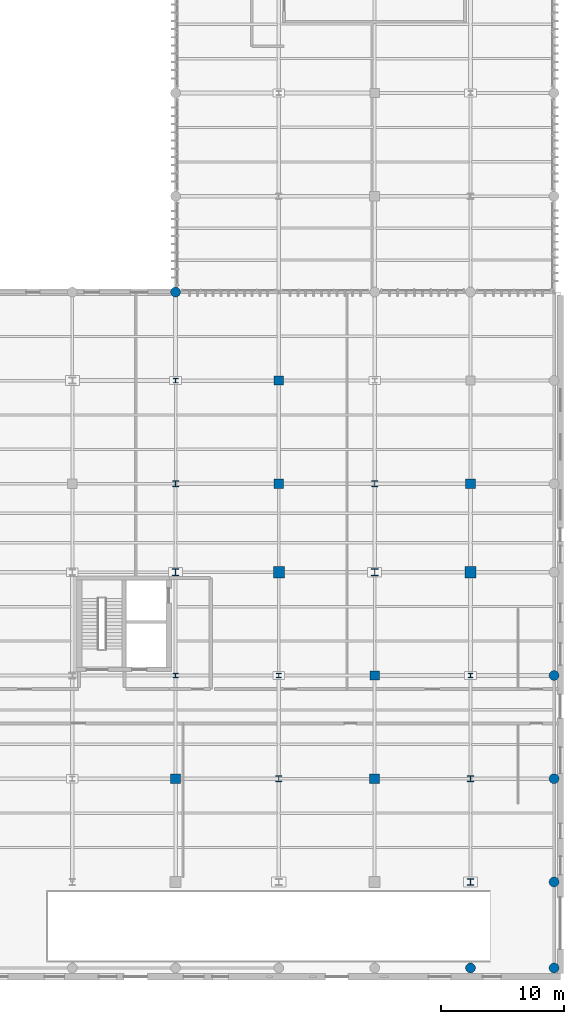
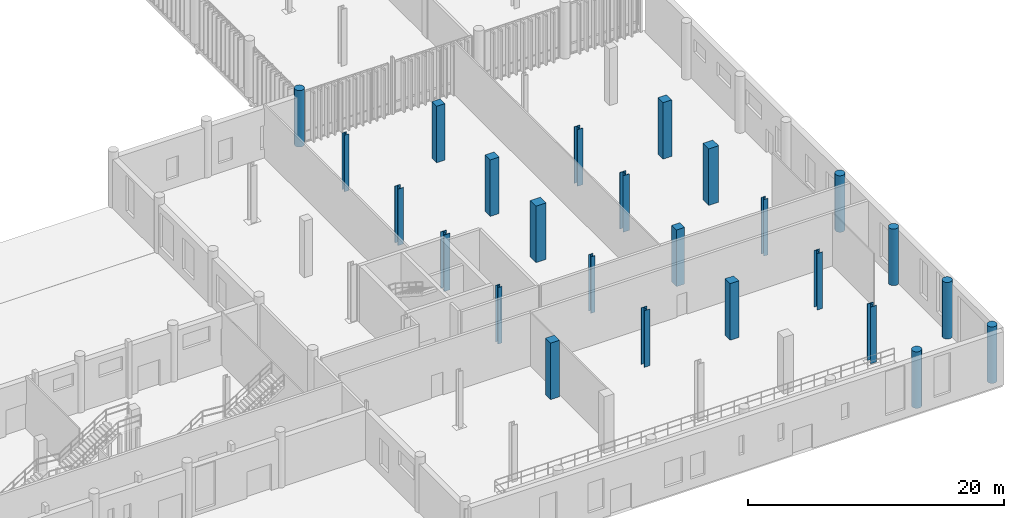
# One storey, part 10 of 112: 25 columns.
"""IFC4 building model written with IfcOpenShell, lengths in metres."""

from ifc_helpers import new_model, si_unit, direction, frame, origin_with_axes, origin_2d_with_axis, place, context, subcontext, project, spatial, rectangle, circle, i_section, extrude, material, material_profile, profile_set, type_object, element, save


model = new_model("IFC4")

# Units and contexts
model_context = context("Model", 3, precision=1e-05, world=origin_with_axes(), true_north=direction((0.0, 1.0)))
body_context = subcontext(model_context, "Body", "Model", "MODEL_VIEW")
ifc_project = project(units=[si_unit("LENGTHUNIT", "METRE"), si_unit("AREAUNIT", "SQUARE_METRE"), si_unit("VOLUMEUNIT", "CUBIC_METRE"), si_unit("PLANEANGLEUNIT", "RADIAN"), si_unit("MASSUNIT", "GRAM", prefix="KILO"), si_unit("THERMODYNAMICTEMPERATUREUNIT", "KELVIN")], contexts=[model_context])

# Site, building, storey
site_placement = place(None, origin_with_axes())
site = spatial("IfcSite", under=ifc_project, at=site_placement, CompositionType="ELEMENT")
building_placement = place(site_placement, origin_with_axes())
building = spatial("IfcBuilding", under=site, at=building_placement, Name="Montbau Bow Law Courts", CompositionType="ELEMENT")
storey_placement = place(building_placement, origin_with_axes())
storey = spatial("IfcBuildingStorey", under=building, at=storey_placement, Name="L00", CompositionType="ELEMENT", Elevation=0.0)

# Columns
ifc_material_1 = material(Name="Concrete CSA A23.1 f'c 45 MPa", Category="concrete")
ifc_material_profile_1 = material_profile(ifc_material_1, rectangle(XDim=0.9, YDim=0.9, at=origin_2d_with_axis()), Name="RC900X900", Category="Main", Priority=0)
ifc_profile_set_1 = profile_set([ifc_material_profile_1], Name="Concrete CSA A23.1 f'c 45 MPa")
column_type_1 = type_object("IfcColumnType", Name="C-RC-01", PredefinedType="COLUMN", material=ifc_profile_set_1)
for number, where, z_axis, x_axis, name in (
    (1, (147.0, 39.0, 0.0), (0.0, 0.0, 1.0), (1.0, 0.0, 0.0), "C-L00-S0303:col2_0303"),
    (2, (162.6, 39.0, 0.0), (0.0, 0.0, 1.0), (1.0, 0.0, 0.0), "C-L00-S0333:col2_0333"),
):
    element("IfcColumn", number, at=place(None, frame(where, z_axis=z_axis, x_axis=x_axis)), inside=storey, type_object=column_type_1, Name=name, PredefinedType="COLUMN", context=body_context, shape_type="SweptSolid", body=[
        extrude(rectangle(XDim=0.9, YDim=0.9, at=origin_2d_with_axis()), origin_with_axes(), (0.0, 0.0, 1.0), 5.4),
    ])
ifc_material_profile_2 = material_profile(ifc_material_1, rectangle(XDim=0.8, YDim=0.8, at=origin_2d_with_axis()), Name="RC800X800", Category="Main", Priority=0)
ifc_profile_set_2 = profile_set([ifc_material_profile_2], Name="Concrete CSA A23.1 f'c 45 MPa")
column_type_2 = type_object("IfcColumnType", Name="C-RC-02", PredefinedType="COLUMN", material=ifc_profile_set_2)
for number, where, z_axis, x_axis, name in (
    (3, (138.6, 22.2, 0.0), (0.0, 0.0, 1.0), (1.0, 0.0, 0.0), "C-L00-S0286:col2_0286"),
    (4, (147.0, 46.2, 0.0), (0.0, 0.0, 1.0), (1.0, 0.0, 0.0), "C-L00-S0304:col2_0304"),
    (5, (154.8, 22.2, 0.0), (0.0, 0.0, 1.0), (1.0, 0.0, 0.0), "C-L00-S0316:col2_0316"),
    (6, (162.6, 46.2, 0.0), (0.0, 0.0, 1.0), (1.0, 0.0, 0.0), "C-L00-S0334:col2_0334"),
):
    element("IfcColumn", number, at=place(None, frame(where, z_axis=z_axis, x_axis=x_axis)), inside=storey, type_object=column_type_2, Name=name, PredefinedType="COLUMN", context=body_context, shape_type="SweptSolid", body=[
        extrude(rectangle(XDim=0.8, YDim=0.8, at=origin_2d_with_axis()), origin_with_axes(), (0.0, 0.0, 1.0), 5.4),
    ])
ifc_material_2 = material(Name="Concrete CSA A23.1 f'c 40 MPa", Category="concrete")
ifc_material_profile_3 = material_profile(ifc_material_2, rectangle(XDim=0.75, YDim=0.75, at=origin_2d_with_axis()), Name="RC750X750", Category="Main", Priority=0)
ifc_profile_set_3 = profile_set([ifc_material_profile_3], Name="Concrete CSA A23.1 f'c 40 MPa")
column_type_3 = type_object("IfcColumnType", Name="C-RC-03", PredefinedType="COLUMN", material=ifc_profile_set_3)
for number, where, z_axis, x_axis, name in (
    (7, (147.0, 54.6, 0.0), (0.0, 0.0, 1.0), (1.0, 0.0, 0.0), "C-L00-S0305:col2_0305"),
    (8, (154.8, 30.6, 0.0), (0.0, 0.0, 1.0), (1.0, 0.0, 0.0), "C-L00-S0317:col2_0317"),
):
    element("IfcColumn", number, at=place(None, frame(where, z_axis=z_axis, x_axis=x_axis)), inside=storey, type_object=column_type_3, Name=name, PredefinedType="COLUMN", context=body_context, shape_type="SweptSolid", body=[
        extrude(rectangle(XDim=0.75, YDim=0.75, at=origin_2d_with_axis()), origin_with_axes(), (0.0, 0.0, 1.0), 5.4),
    ])
ifc_material_profile_4 = material_profile(ifc_material_2, circle(Radius=0.4, at=origin_2d_with_axis()), Name="RC800D", Category="Main", Priority=0)
ifc_profile_set_4 = profile_set([ifc_material_profile_4], Name="Concrete CSA A23.1 f'c 40 MPa")
column_type_4 = type_object("IfcColumnType", Name="C-RC-07", PredefinedType="COLUMN", material=ifc_profile_set_4)
for number, where, z_axis, x_axis, name in (
    (9, (138.6, 61.8, 0.0), (0.0, 0.0, 1.0), (1.0, 0.0, 0.0), "C-L00-S0291:col2_0291"),
    (10, (162.6, 6.8, 0.0), (0.0, 0.0, 1.0), (1.0, 0.0, 0.0), "C-L00-S0329:col2_0329"),
    (11, (169.4, 6.8, 0.0), (0.0, 0.0, 1.0), (1.0, 0.0, 0.0), "C-L00-S0344:col2_0344"),
    (12, (169.4, 13.8, 0.0), (0.0, 0.0, 1.0), (1.0, 0.0, 0.0), "C-L00-S0345:col2_0345"),
    (13, (169.4, 22.2, 0.0), (0.0, 0.0, 1.0), (1.0, 0.0, 0.0), "C-L00-S0346:col2_0346"),
    (14, (169.4, 30.6, 0.0), (0.0, 0.0, 1.0), (1.0, 0.0, 0.0), "C-L00-S0347:col2_0347"),
):
    element("IfcColumn", number, at=place(None, frame(where, z_axis=z_axis, x_axis=x_axis)), inside=storey, type_object=column_type_4, Name=name, PredefinedType="COLUMN", context=body_context, shape_type="SweptSolid", body=[
        extrude(circle(Radius=0.4, at=origin_2d_with_axis()), origin_with_axes(), (0.0, 0.0, 1.0), 5.4),
    ])
ifc_material_3 = material(Name="Steel CSA G40.21 Grade 350W (350 MPa)", Category="steel")
ifc_material_profile_5 = material_profile(ifc_material_3, i_section(OverallWidth=0.55, OverallDepth=0.55, WebThickness=0.025, FlangeThickness=0.042, at=origin_2d_with_axis()), Name="WWF550X420", Category="Main", Priority=0)
ifc_profile_set_5 = profile_set([ifc_material_profile_5], Name="Steel CSA G40.21 Grade 350W (350 MPa)")
column_type_5 = type_object("IfcColumnType", Name="C-STL-01", PredefinedType="COLUMN", material=ifc_profile_set_5)
for number, where, z_axis, x_axis, name in (
    (15, (138.6, 39.0, 0.0), (0.0, 0.0, 1.0), (1.0, 0.0, 0.0), "C-L00-S0288:col2_0288"),
    (16, (154.8, 39.0, 0.0), (0.0, 0.0, 1.0), (1.0, 0.0, 0.0), "C-L00-S0318:col2_0318"),
    (17, (162.6, 13.8, 0.0), (0.0, 0.0, 1.0), (1.0, 0.0, 0.0), "C-L00-S0330:col2_0330"),
):
    element("IfcColumn", number, at=place(None, frame(where, z_axis=z_axis, x_axis=x_axis)), inside=storey, type_object=column_type_5, Name=name, PredefinedType="COLUMN", context=body_context, shape_type="SweptSolid", body=[
        extrude(i_section(OverallWidth=0.55, OverallDepth=0.55, WebThickness=0.025, FlangeThickness=0.042, at=origin_2d_with_axis()), origin_with_axes(), (0.0, 0.0, 1.0), 5.4),
    ])
ifc_material_profile_6 = material_profile(ifc_material_3, i_section(OverallWidth=0.5, OverallDepth=0.5, WebThickness=0.022, FlangeThickness=0.036, at=origin_2d_with_axis()), Name="WWF500X343", Category="Main", Priority=0)
ifc_profile_set_6 = profile_set([ifc_material_profile_6], Name="Steel CSA G40.21 Grade 350W (350 MPa)")
column_type_6 = type_object("IfcColumnType", Name="C-STL-02", PredefinedType="COLUMN", material=ifc_profile_set_6)
for number, where, z_axis, x_axis, name in (
    (18, (138.6, 46.2, 0.0), (0.0, 0.0, 1.0), (1.0, 0.0, 0.0), "C-L00-S0289:col2_0289"),
    (19, (147.0, 22.2, 0.0), (0.0, 0.0, 1.0), (1.0, 0.0, 0.0), "C-L00-S0301:col2_0301"),
    (20, (154.8, 46.2, 0.0), (0.0, 0.0, 1.0), (1.0, 0.0, 0.0), "C-L00-S0319:col2_0319"),
    (21, (162.6, 22.2, 0.0), (0.0, 0.0, 1.0), (1.0, 0.0, 0.0), "C-L00-S0331:col2_0331"),
):
    element("IfcColumn", number, at=place(None, frame(where, z_axis=z_axis, x_axis=x_axis)), inside=storey, type_object=column_type_6, Name=name, PredefinedType="COLUMN", context=body_context, shape_type="SweptSolid", body=[
        extrude(i_section(OverallWidth=0.5, OverallDepth=0.5, WebThickness=0.022, FlangeThickness=0.036, at=origin_2d_with_axis()), origin_with_axes(), (0.0, 0.0, 1.0), 5.4),
    ])
ifc_material_profile_7 = material_profile(ifc_material_3, i_section(OverallWidth=0.395, OverallDepth=0.38, WebThickness=0.0189, FlangeThickness=0.0302, at=origin_2d_with_axis()), Name="W360X237", Category="Main", Priority=0)
ifc_profile_set_7 = profile_set([ifc_material_profile_7], Name="Steel CSA G40.21 Grade 350W (350 MPa)")
column_type_7 = type_object("IfcColumnType", Name="C-STL-03", PredefinedType="COLUMN", material=ifc_profile_set_7)
for number, where, z_axis, x_axis, name in (
    (22, (138.6, 30.6, 0.0), (0.0, 0.0, 1.0), (1.0, 0.0, 0.0), "C-L00-S0287:col2_0287"),
    (23, (138.6, 54.6, 0.0), (0.0, 0.0, 1.0), (1.0, 0.0, 0.0), "C-L00-S0290:col2_0290"),
    (24, (147.0, 30.6, 0.0), (0.0, 0.0, 1.0), (1.0, 0.0, 0.0), "C-L00-S0302:col2_0302"),
    (25, (162.6, 30.6, 0.0), (0.0, 0.0, 1.0), (1.0, 0.0, 0.0), "C-L00-S0332:col2_0332"),
):
    element("IfcColumn", number, at=place(None, frame(where, z_axis=z_axis, x_axis=x_axis)), inside=storey, type_object=column_type_7, Name=name, PredefinedType="COLUMN", context=body_context, shape_type="SweptSolid", body=[
        extrude(i_section(OverallWidth=0.395, OverallDepth=0.38, WebThickness=0.0189, FlangeThickness=0.0302, at=origin_2d_with_axis()), origin_with_axes(), (0.0, 0.0, 1.0), 5.4),
    ])

save(model, "model.ifc")
